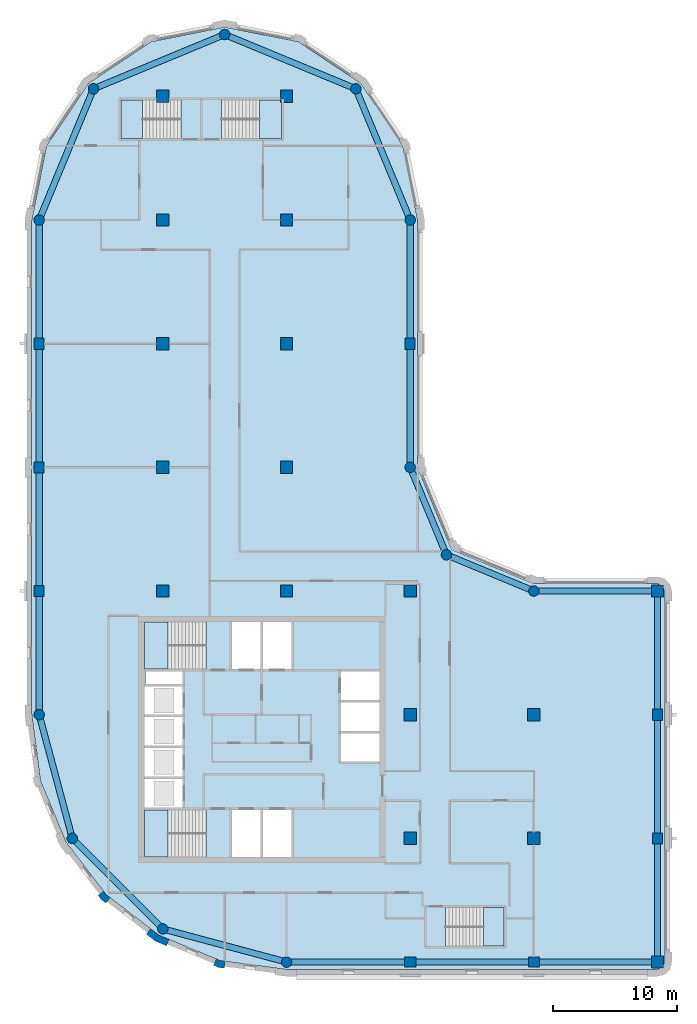
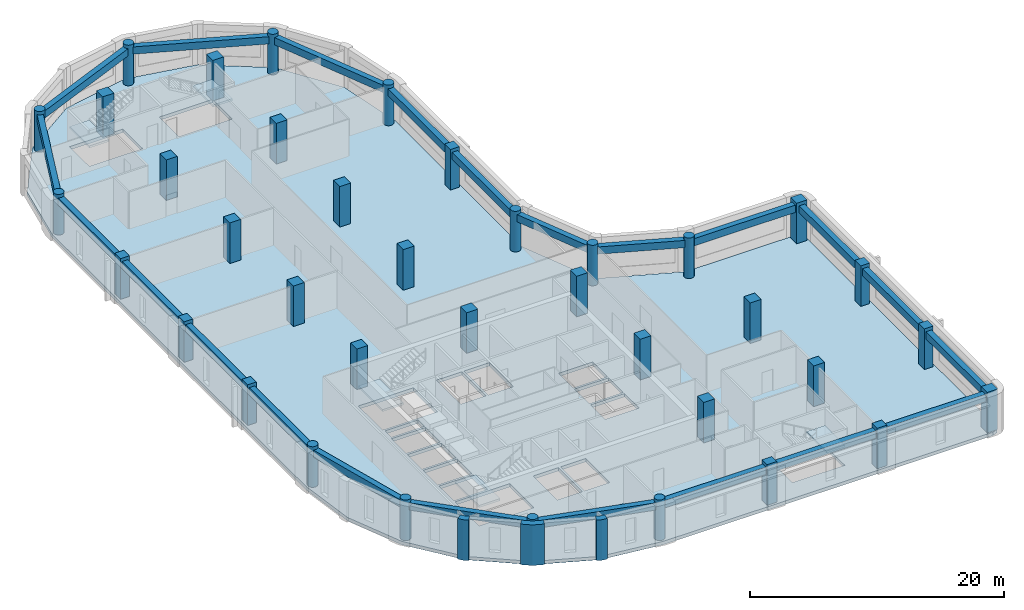
# One storey, part 1 of 9: 37 columns, 22 beams, 6 slabs, 3 walls, 5 elements without a shape of their own.
"""IFC4 building model written with IfcOpenShell, lengths in metres."""

from ifc_helpers import new_model, si_unit, direction, frame, origin, origin_2d, place, context, subcontext, project, spatial, polyline, rectangle, circle, outline, extrude, material, layer, layer_set, material_profile, profile_set, type_object, element, aggregate, save


model = new_model("IFC4")

# Units and contexts
model_context = context("Model", 3, precision=1e-05, world=origin(), true_north=direction((0.0, 1.0)))
body_context = subcontext(model_context, "Body", "Model", "MODEL_VIEW")
ifc_project = project(units=[si_unit("LENGTHUNIT", "METRE"), si_unit("AREAUNIT", "SQUARE_METRE"), si_unit("VOLUMEUNIT", "CUBIC_METRE"), si_unit("PLANEANGLEUNIT", "RADIAN"), si_unit("MASSUNIT", "GRAM", prefix="KILO")], contexts=[model_context])

# Site, building, storey
site_placement = place(None, origin())
site = spatial("IfcSite", under=ifc_project, at=site_placement, CompositionType="ELEMENT")
building_placement = place(site_placement, origin())
building = spatial("IfcBuilding", under=site, at=building_placement, Name="Qaws Garden Tower", CompositionType="ELEMENT")
storey_placement = place(building_placement, frame((0.0, 0.0, 259.199951171875)))
storey = spatial("IfcBuildingStorey", under=building, at=storey_placement, Name="L62", CompositionType="ELEMENT", Elevation=259.199951171875)

# Columns
ifc_material_1 = material(Name="Concrete C60", Category="concrete")
ifc_material_profile_1 = material_profile(ifc_material_1, rectangle(XDim=1.0, YDim=1.0, at=origin_2d()), Name="RC 1000x1000")
ifc_profile_set_1 = profile_set([ifc_material_profile_1], Name="Concrete C60")
column_type_1 = type_object("IfcColumnType", Name="Column RC 1000x1000 C60", PredefinedType="COLUMN", material=ifc_profile_set_1)
for number, where, z_axis, x_axis, name in (
    (1, (10.0, 30.0, 0.0), (0.0, 0.0, 1.0), (1.0, 0.0, 0.0), "Column L62-023"),
    (2, (10.0, 40.0, 0.0), (0.0, 0.0, 1.0), (1.0, 0.0, 0.0), "Column L62-024"),
    (3, (10.0, 50.0, 0.0), (0.0, 0.0, 1.0), (1.0, 0.0, 0.0), "Column L62-025"),
    (4, (10.0, 60.0, 0.0), (0.0, 0.0, 1.0), (1.0, 0.0, 0.0), "Column L62-026"),
    (5, (10.0, 70.0, 0.0), (0.0, 0.0, 1.0), (1.0, 0.0, 0.0), "Column L62-027"),
    (6, (20.0, 30.0, 0.0), (0.0, 0.0, 1.0), (1.0, 0.0, 0.0), "Column L62-028"),
    (7, (20.0, 40.0, 0.0), (0.0, 0.0, 1.0), (1.0, 0.0, 0.0), "Column L62-029"),
    (8, (20.0, 50.0, 0.0), (0.0, 0.0, 1.0), (1.0, 0.0, 0.0), "Column L62-030"),
    (9, (20.0, 60.0, 0.0), (0.0, 0.0, 1.0), (1.0, 0.0, 0.0), "Column L62-031"),
    (10, (20.0, 70.0, 0.0), (0.0, 0.0, 1.0), (1.0, 0.0, 0.0), "Column L62-032"),
    (11, (30.0, 10.0, 0.0), (0.0, 0.0, 1.0), (1.0, 0.0, 0.0), "Column L62-033"),
    (12, (30.0, 20.0, 0.0), (0.0, 0.0, 1.0), (1.0, 0.0, 0.0), "Column L62-034"),
    (13, (30.0, 30.0, 0.0), (0.0, 0.0, 1.0), (1.0, 0.0, 0.0), "Column L62-035"),
    (14, (40.0, 10.0, 0.0), (0.0, 0.0, 1.0), (1.0, 0.0, 0.0), "Column L62-036"),
    (15, (40.0, 20.0, 0.0), (0.0, 0.0, 1.0), (1.0, 0.0, 0.0), "Column L62-037"),
):
    element("IfcColumn", number, at=place(storey_placement, frame(where, z_axis=z_axis, x_axis=x_axis)), inside=storey, type_object=column_type_1, Name=name, PredefinedType="COLUMN", context=body_context, shape_type="SweptSolid", body=[
        extrude(rectangle(XDim=1.0, YDim=1.0, at=origin_2d()), origin(), (0.0, 0.0, 1.0), 3.900146484375),
    ])
ifc_material_2 = material(Name="Concrete C60", Category="concrete")
ifc_material_profile_2 = material_profile(ifc_material_2, rectangle(XDim=0.89990234375, YDim=0.800048828125, at=origin_2d()), Name="RC 900x800")
ifc_profile_set_2 = profile_set([ifc_material_profile_2], Name="Concrete C60")
column_type_2 = type_object("IfcColumnType", Name="Column RC 900x800 C60", PredefinedType="COLUMN", material=ifc_profile_set_2)
for number, where, z_axis, x_axis, name in (
    (16, (30.0, 0.0, 0.0), (0.0, 0.0, 1.0), (1.0, 0.0, 0.0), "Column L62-002"),
    (17, (40.0, 0.0, 0.0), (0.0, 0.0, 1.0), (1.0, 0.0, 0.0), "Column L62-003"),
    (18, (50.0, 10.0, 0.0), (0.0, 0.0, 1.0), (0.0, 1.0, 0.0), "Column L62-005"),
    (19, (50.0, 20.0, 0.0), (0.0, 0.0, 1.0), (0.0, 1.0, 0.0), "Column L62-006"),
    (20, (30.0, 50.0, 0.0), (0.0, 0.0, 1.0), (0.0, 1.0, 0.0), "Column L62-011"),
    (21, (0.0, 50.0, 0.0), (0.0, 0.0, 1.0), (0.0, 1.0, 0.0), "Column L62-017"),
    (22, (0.0, 40.0, 0.0), (0.0, 0.0, 1.0), (0.0, 1.0, 0.0), "Column L62-018"),
    (23, (0.0, 30.0, 0.0), (0.0, 0.0, 1.0), (0.0, 1.0, 0.0), "Column L62-019"),
):
    element("IfcColumn", number, at=place(storey_placement, frame(where, z_axis=z_axis, x_axis=x_axis)), inside=storey, type_object=column_type_2, Name=name, PredefinedType="COLUMN", context=body_context, shape_type="SweptSolid", body=[
        extrude(rectangle(XDim=0.89990234375, YDim=0.800048828125, at=origin_2d()), origin(), (0.0, 0.0, 1.0), 3.900146484375),
    ])
ifc_material_3 = material(Name="Concrete C60", Category="concrete")
ifc_material_profile_3 = material_profile(ifc_material_3, rectangle(XDim=0.949951171875, YDim=0.949951171875, at=origin_2d()), Name="RC 950x950")
ifc_profile_set_3 = profile_set([ifc_material_profile_3], Name="Concrete C60")
column_type_3 = type_object("IfcColumnType", Name="Column RC 950x950 C60", PredefinedType="COLUMN", material=ifc_profile_set_3)
for number, where, z_axis, x_axis, name in (
    (24, (50.0, 0.0, 0.0), (0.0, 0.0, 1.0), (1.0, 0.0, 0.0), "Column L62-004"),
    (25, (50.0, 30.0, 0.0), (0.0, 0.0, 1.0), (1.0, 0.0, 0.0), "Column L62-007"),
):
    element("IfcColumn", number, at=place(storey_placement, frame(where, z_axis=z_axis, x_axis=x_axis)), inside=storey, type_object=column_type_3, Name=name, PredefinedType="COLUMN", context=body_context, shape_type="SweptSolid", body=[
        extrude(rectangle(XDim=0.949951171875, YDim=0.949951171875, at=origin_2d()), origin(), (0.0, 0.0, 1.0), 3.900146484375),
    ])
ifc_material_4 = material(Name="Concrete C60", Category="concrete")
ifc_material_profile_4 = material_profile(ifc_material_4, circle(Radius=0.425048828125, at=origin_2d()), Name="RC D850")
ifc_profile_set_4 = profile_set([ifc_material_profile_4], Name="Concrete C60")
column_type_4 = type_object("IfcColumnType", Name="Column RC D850 C60", PredefinedType="COLUMN", material=ifc_profile_set_4)
for number, where, z_axis, x_axis, name in (
    (26, (20.0, 0.0, 0.0), (0.0, 0.0, 1.0), (1.0, 0.0, 0.0), "Column L62-001"),
    (27, (40.0, 30.0, 0.0), (0.0, 0.0, 1.0), (1.0, 0.0, 0.0), "Column L62-008"),
    (28, (32.928955078125, 32.928955078125, 0.0), (0.0, 0.0, 1.0), (1.0, 0.0, 0.0), "Column L62-009"),
    (29, (30.0, 40.0, 0.0), (0.0, 0.0, 1.0), (1.0, 0.0, 0.0), "Column L62-010"),
    (30, (30.0, 60.0, 0.0), (0.0, 0.0, 1.0), (1.0, 0.0, 0.0), "Column L62-012"),
    (31, (25.606689453125, 70.606689453125, 0.0), (0.0, 0.0, 1.0), (1.0, 0.0, 0.0), "Column L62-013"),
    (32, (15.0, 75.0, 0.0), (0.0, 0.0, 1.0), (1.0, 0.0, 0.0), "Column L62-014"),
    (33, (4.393310546875, 70.606689453125, 0.0), (0.0, 0.0, 1.0), (1.0, 0.0, 0.0), "Column L62-015"),
    (34, (0.0, 60.0, 0.0), (0.0, 0.0, 1.0), (1.0, 0.0, 0.0), "Column L62-016"),
    (35, (0.0, 20.0, 0.0), (0.0, 0.0, 1.0), (1.0, 0.0, 0.0), "Column L62-020"),
    (36, (2.679443359375, 10.0, 0.0), (0.0, 0.0, 1.0), (1.0, 0.0, 0.0), "Column L62-021"),
    (37, (10.0, 2.679443359375, 0.0), (0.0, 0.0, 1.0), (1.0, 0.0, 0.0), "Column L62-022"),
):
    element("IfcColumn", number, at=place(storey_placement, frame(where, z_axis=z_axis, x_axis=x_axis)), inside=storey, type_object=column_type_4, Name=name, PredefinedType="COLUMN", context=body_context, shape_type="SweptSolid", body=[
        extrude(circle(Radius=0.425048828125, at=origin_2d()), origin(), (0.0, 0.0, 1.0), 3.900146484375),
    ])

# Beams
ifc_material_5 = material(Name="Concrete C45", Category="concrete")
ifc_material_profile_5 = material_profile(ifc_material_5, rectangle(XDim=0.5, YDim=0.699951171875, at=origin_2d()), Name="RC 500x700")
ifc_profile_set_5 = profile_set([ifc_material_profile_5], Name="Concrete C45")
beam_type = type_object("IfcBeamType", Name="Spandrel beam RC 500x700 C45", PredefinedType="SPANDREL", material=ifc_profile_set_5)
for number, where, z_axis, x_axis, name in (
    (38, (20.0, 0.0, 3.22998046875), (1.0, 0.0, 0.0), (0.0, 1.0, 0.0), "Spandrel beam L62-001"),
    (39, (30.0, 0.0, 3.22998046875), (1.0, 0.0, 0.0), (0.0, 1.0, 0.0), "Spandrel beam L62-002"),
    (40, (40.0, 0.0, 3.22998046875), (1.0, 0.0, 0.0), (0.0, 1.0, 0.0), "Spandrel beam L62-003"),
    (41, (50.0, 0.0, 3.22998046875), (0.0, 1.0, 0.0), (-1.0, 0.0, 0.0), "Spandrel beam L62-004"),
    (42, (50.0, 10.0, 3.22998046875), (0.0, 1.0, 0.0), (-1.0, 0.0, 0.0), "Spandrel beam L62-005"),
    (43, (50.0, 20.0, 3.22998046875), (0.0, 1.0, 0.0), (-1.0, 0.0, 0.0), "Spandrel beam L62-006"),
    (44, (50.0, 30.0, 3.22998046875), (-1.0, 0.0, 0.0), (0.0, -1.0, 0.0), "Spandrel beam L62-007"),
):
    element("IfcBeam", number, at=place(storey_placement, frame(where, z_axis=z_axis, x_axis=x_axis)), inside=storey, type_object=beam_type, Name=name, PredefinedType="SPANDREL", context=body_context, shape_type="SweptSolid", body=[
        extrude(rectangle(XDim=0.5, YDim=0.699951171875, at=origin_2d()), origin(), (0.0, 0.0, 1.0), 10.0),
    ])
for number, where, z_axis, x_axis, name in (
    (45, (40.0, 30.0, 3.22998046875), (-0.923878037141, 0.382687042488, 0.0), (-0.382687042488, -0.923878037141, 0.0), "Spandrel beam L62-008"),
    (46, (32.928955078125, 32.928955078125, 3.22998046875), (-0.382687042488, 0.923878037141, 0.0), (-0.923878037141, -0.382687042488, 0.0), "Spandrel beam L62-009"),
):
    element("IfcBeam", number, at=place(storey_placement, frame(where, z_axis=z_axis, x_axis=x_axis)), inside=storey, type_object=beam_type, Name=name, PredefinedType="SPANDREL", context=body_context, shape_type="SweptSolid", body=[
        extrude(rectangle(XDim=0.5, YDim=0.699951171875, at=origin_2d()), origin(), (0.0, 0.0, 1.0), 7.653564453125),
    ])
for number, where, z_axis, x_axis, name in (
    (47, (30.0, 40.0, 3.22998046875), (0.0, 1.0, 0.0), (-1.0, 0.0, 0.0), "Spandrel beam L62-010"),
    (48, (30.0, 50.0, 3.22998046875), (0.0, 1.0, 0.0), (-1.0, 0.0, 0.0), "Spandrel beam L62-011"),
):
    element("IfcBeam", number, at=place(storey_placement, frame(where, z_axis=z_axis, x_axis=x_axis)), inside=storey, type_object=beam_type, Name=name, PredefinedType="SPANDREL", context=body_context, shape_type="SweptSolid", body=[
        extrude(rectangle(XDim=0.5, YDim=0.699951171875, at=origin_2d()), origin(), (0.0, 0.0, 1.0), 10.0),
    ])
for number, where, z_axis, x_axis, name in (
    (49, (30.0, 60.0, 3.22998046875), (-0.382674207535, 0.923883353507, 0.0), (-0.923883353507, -0.382674207535, 0.0), "Spandrel beam L62-012"),
    (50, (25.606689453125, 70.606689453125, 3.22998046875), (-0.923883353507, 0.382674207535, 0.0), (-0.382674207535, -0.923883353507, 0.0), "Spandrel beam L62-013"),
    (51, (15.0, 75.0, 3.22998046875), (-0.923883353507, -0.382674207535, 0.0), (0.382674207535, -0.923883353507, 0.0), "Spandrel beam L62-014"),
    (52, (4.393310546875, 70.606689453125, 3.22998046875), (-0.382674207535, -0.923883353507, 0.0), (0.923883353507, -0.382674207535, 0.0), "Spandrel beam L62-015"),
):
    element("IfcBeam", number, at=place(storey_placement, frame(where, z_axis=z_axis, x_axis=x_axis)), inside=storey, type_object=beam_type, Name=name, PredefinedType="SPANDREL", context=body_context, shape_type="SweptSolid", body=[
        extrude(rectangle(XDim=0.5, YDim=0.699951171875, at=origin_2d()), origin(), (0.0, 0.0, 1.0), 11.48046875),
    ])
for number, where, z_axis, x_axis, name in (
    (53, (0.0, 60.0, 3.22998046875), (0.0, -1.0, 0.0), (1.0, 0.0, 0.0), "Spandrel beam L62-016"),
    (54, (0.0, 50.0, 3.22998046875), (0.0, -1.0, 0.0), (1.0, 0.0, 0.0), "Spandrel beam L62-017"),
    (55, (0.0, 40.0, 3.22998046875), (0.0, -1.0, 0.0), (1.0, 0.0, 0.0), "Spandrel beam L62-018"),
    (56, (0.0, 30.0, 3.22998046875), (0.0, -1.0, 0.0), (1.0, 0.0, 0.0), "Spandrel beam L62-019"),
):
    element("IfcBeam", number, at=place(storey_placement, frame(where, z_axis=z_axis, x_axis=x_axis)), inside=storey, type_object=beam_type, Name=name, PredefinedType="SPANDREL", context=body_context, shape_type="SweptSolid", body=[
        extrude(rectangle(XDim=0.5, YDim=0.699951171875, at=origin_2d()), origin(), (0.0, 0.0, 1.0), 10.0),
    ])
for number, where, z_axis, x_axis, name in (
    (57, (0.0, 20.0, 3.22998046875), (0.25881466832, -0.965926999034, 0.0), (0.965926999034, 0.25881466832, 0.0), "Spandrel beam L62-020"),
    (58, (2.679443359375, 10.0, 3.22998046875), (0.707106781187, -0.707106781187, 0.0), (0.707106781187, 0.707106781187, 0.0), "Spandrel beam L62-021"),
    (59, (10.0, 2.679443359375, 3.22998046875), (0.965926999034, -0.25881466832, 0.0), (0.25881466832, 0.965926999034, 0.0), "Spandrel beam L62-022"),
):
    element("IfcBeam", number, at=place(storey_placement, frame(where, z_axis=z_axis, x_axis=x_axis)), inside=storey, type_object=beam_type, Name=name, PredefinedType="SPANDREL", context=body_context, shape_type="SweptSolid", body=[
        extrude(rectangle(XDim=0.5, YDim=0.699951171875, at=origin_2d()), origin(), (0.0, 0.0, 1.0), 10.352783203125),
    ])

# Slab
ifc_material_6 = material(Name="Concrete C40", Category="concrete")
ifc_layer_1 = layer(ifc_material_6, 0.320068359375)
ifc_layer_set_1 = layer_set([ifc_layer_1], Name="Concrete C40")
slab_type_1 = type_object("IfcSlabType", Name="Floor slab 320 C40", PredefinedType="FLOOR", material=ifc_layer_set_1)
slab_1_placement = place(storey_placement, frame((0.0, 0.0, -0.320068359375)))
element("IfcSlab", 60, at=slab_1_placement, inside=storey, type_object=slab_type_1, Name="Floor slab L62", PredefinedType="FLOOR", context=body_context, shape_type="SweptSolid", body=[
    extrude(outline(polyline([(0.101806640625, 14.668212890625), (-0.60009765625, 20.0), (-0.60009765625, 30.60009765625), (-0.60009765625, 60.0), (-0.60009765625, 60.0), (0.58740234375, 65.969970703125), (3.968994140625, 71.031005859375), (9.030029296875, 74.41259765625), (15.0, 75.60009765625), (20.969970703125, 74.41259765625), (26.031005859375, 71.031005859375), (29.41259765625, 65.969970703125), (30.60009765625, 60.0), (30.60009765625, 40.0), (33.353271484375, 33.353271484375), (40.0, 30.60009765625), (50.0, 30.60009765625), (50.42431640625, 30.42431640625), (50.60009765625, 30.0), (50.60009765625, 0.0), (50.42431640625, -0.42431640625), (50.0, -0.60009765625), (30.60009765625, -0.60009765625), (20.0, -0.60009765625), (14.668212890625, 0.101806640625), (9.699951171875, 2.159912109375), (5.43359375, 5.43359375), (2.159912109375, 9.699951171875), (0.101806640625, 14.668212890625)]), holes=[polyline([(13.49951171875, 12.300048828125), (8.5, 12.300048828125), (8.5, 8.5), (13.49951171875, 8.5), (13.49951171875, 12.300048828125)]), polyline([(17.89990234375, 12.300048828125), (15.60009765625, 12.300048828125), (15.60009765625, 8.5), (17.89990234375, 8.5), (17.89990234375, 12.300048828125)]), polyline([(11.60009765625, 14.800048828125), (8.5, 14.800048828125), (8.5, 12.5), (11.60009765625, 12.5), (11.60009765625, 14.800048828125)]), polyline([(11.60009765625, 17.300048828125), (8.5, 17.300048828125), (8.5, 15.0), (11.60009765625, 15.0), (11.60009765625, 17.300048828125)]), polyline([(11.60009765625, 19.800048828125), (8.5, 19.800048828125), (8.5, 17.5), (11.60009765625, 17.5), (11.60009765625, 19.800048828125)]), polyline([(11.60009765625, 22.300048828125), (8.5, 22.300048828125), (8.5, 20.0), (11.60009765625, 20.0), (11.60009765625, 22.300048828125)]), polyline([(11.60009765625, 23.5), (8.60009765625, 23.5), (8.60009765625, 22.5), (11.60009765625, 22.5), (11.60009765625, 23.5)]), polyline([(13.49951171875, 27.5), (8.5, 27.5), (8.5, 23.699951171875), (13.49951171875, 23.699951171875), (13.49951171875, 27.5)]), polyline([(11.449462890625, 69.699951171875), (6.60009765625, 69.699951171875), (6.60009765625, 66.60009765625), (11.449462890625, 66.60009765625), (11.449462890625, 69.699951171875)]), polyline([(37.60009765625, 4.39990234375), (32.8505859375, 4.39990234375), (32.8505859375, 1.300048828125), (37.60009765625, 1.300048828125), (37.60009765625, 4.39990234375)]), polyline([(20.39990234375, 12.300048828125), (18.10009765625, 12.300048828125), (18.10009765625, 8.5), (20.39990234375, 8.5), (20.39990234375, 12.300048828125)]), polyline([(27.5, 18.5), (24.39990234375, 18.5), (24.39990234375, 16.199951171875), (27.5, 16.199951171875), (27.5, 18.5)]), polyline([(27.5, 21.0), (24.39990234375, 21.0), (24.39990234375, 18.699951171875), (27.5, 18.699951171875), (27.5, 21.0)]), polyline([(27.5, 23.5), (24.39990234375, 23.5), (24.39990234375, 21.199951171875), (27.5, 21.199951171875), (27.5, 23.5)]), polyline([(17.89990234375, 27.5), (15.60009765625, 27.5), (15.60009765625, 23.699951171875), (17.89990234375, 23.699951171875), (17.89990234375, 27.5)]), polyline([(20.39990234375, 23.699951171875), (20.39990234375, 27.5), (18.10009765625, 27.5), (18.10009765625, 23.699951171875), (20.39990234375, 23.699951171875)]), polyline([(19.60009765625, 66.60009765625), (19.60009765625, 69.699951171875), (14.75048828125, 69.699951171875), (14.75048828125, 66.60009765625), (19.60009765625, 66.60009765625)])]), origin(), (0.0, 0.0, 1.0), 0.320068359375),
])

# Stair, slab
ifc_material_7 = material(Name="Concrete C40", Category="concrete")
stair_type_1 = type_object("IfcStairType", Name="Exit stair 1500", PredefinedType="HALF_TURN_STAIR", material=ifc_material_7)
placement_1 = place(storey_placement, origin())
stair_1 = element("IfcStair", 61, at=placement_1, inside=storey, type_object=stair_type_1, Name="Stair 1", PredefinedType="HALF_TURN_STAIR")
ifc_material_8 = material(Name="Concrete C40", Category="concrete")
ifc_layer_2 = layer(ifc_material_8, 0.199951171875)
ifc_layer_set_2 = layer_set([ifc_layer_2], Name="Concrete C40")
slab_type_2 = type_object("IfcSlabType", Name="Stair landing 200", PredefinedType="LANDING", material=ifc_layer_set_2)
placement_2 = place(storey_placement, frame((0.0, 0.0, 1.75)))
slab_2 = element("IfcSlab", 62, at=placement_2, type_object=slab_type_2, Name="ST1 landing 1", PredefinedType="LANDING", context=body_context, shape_type="SweptSolid", body=[
    extrude(outline(polyline([(8.5, 8.5), (10.419921875, 8.5), (10.419921875, 12.300048828125), (8.5, 12.300048828125), (8.5, 8.5)])), origin(), (0.0, 0.0, 1.0), 0.199951171875),
])
aggregate(stair_1, [slab_2])

stair_2 = element("IfcStair", 63, at=placement_1, inside=storey, type_object=stair_type_1, Name="Stair 4", PredefinedType="HALF_TURN_STAIR")
slab_3 = element("IfcSlab", 64, at=placement_2, type_object=slab_type_2, Name="ST4 landing 1", PredefinedType="LANDING", context=body_context, shape_type="SweptSolid", body=[
    extrude(outline(polyline([(8.5, 23.699951171875), (10.419921875, 23.699951171875), (10.419921875, 27.5), (8.5, 27.5), (8.5, 23.699951171875)])), origin(), (0.0, 0.0, 1.0), 0.199951171875),
])
aggregate(stair_2, [slab_3])

ifc_material_9 = material(Name="Concrete C40", Category="concrete")
stair_type_2 = type_object("IfcStairType", Name="Exit stair 1350", PredefinedType="HALF_TURN_STAIR", material=ifc_material_9)
stair_3 = element("IfcStair", 65, at=placement_1, inside=storey, type_object=stair_type_2, Name="Stair 5", PredefinedType="HALF_TURN_STAIR")
slab_4 = element("IfcSlab", 66, at=placement_2, type_object=slab_type_2, Name="ST5 landing 1", PredefinedType="LANDING", context=body_context, shape_type="SweptSolid", body=[
    extrude(outline(polyline([(35.929931640625, 1.300048828125), (37.60009765625, 1.300048828125), (37.60009765625, 4.39990234375), (35.929931640625, 4.39990234375), (35.929931640625, 1.300048828125)])), origin(), (0.0, 0.0, 1.0), 0.199951171875),
])
aggregate(stair_3, [slab_4])

stair_4 = element("IfcStair", 67, at=placement_1, inside=storey, type_object=stair_type_2, Name="Stair 6", PredefinedType="HALF_TURN_STAIR")
slab_5 = element("IfcSlab", 68, at=placement_2, type_object=slab_type_2, Name="ST6 landing 1", PredefinedType="LANDING", context=body_context, shape_type="SweptSolid", body=[
    extrude(outline(polyline([(6.60009765625, 66.60009765625), (8.3701171875, 66.60009765625), (8.3701171875, 69.699951171875), (6.60009765625, 69.699951171875), (6.60009765625, 66.60009765625)])), origin(), (0.0, 0.0, 1.0), 0.199951171875),
])
aggregate(stair_4, [slab_5])

stair_5 = element("IfcStair", 69, at=placement_1, inside=storey, type_object=stair_type_2, Name="Stair 7", PredefinedType="HALF_TURN_STAIR")
slab_6 = element("IfcSlab", 70, at=placement_2, type_object=slab_type_2, Name="ST7 landing 1", PredefinedType="LANDING", context=body_context, shape_type="SweptSolid", body=[
    extrude(outline(polyline([(17.830078125, 66.60009765625), (19.60009765625, 66.60009765625), (19.60009765625, 69.699951171875), (17.830078125, 69.699951171875), (17.830078125, 66.60009765625)])), origin(), (0.0, 0.0, 1.0), 0.199951171875),
])
aggregate(stair_5, [slab_6])

# Walls
ifc_material_10 = material(Name="Clay facing brick masonry", Category="masonry")
ifc_layer_3 = layer(ifc_material_10, 0.550048828125)
ifc_layer_set_3 = layer_set([ifc_layer_3], Name="Clay facing brick masonry")
wall_type_1 = type_object("IfcWallType", Name="Brick kink pier 550 x 600", PredefinedType="SOLIDWALL", material=ifc_layer_set_3)
element("IfcWall", 71, at=placement_1, inside=storey, type_object=wall_type_1, Name="E-L62-pier-26", PredefinedType="SOLIDWALL", context=body_context, shape_type="SweptSolid", body=[
    extrude(outline(polyline([(4.8818359375, 5.487060546875), (4.762939453125, 5.395751953125), (5.03759765625, 5.03759765625), (5.395751953125, 4.762939453125), (5.487060546875, 4.8818359375), (5.730712890625, 5.19921875), (5.429931640625, 5.429931640625), (5.19921875, 5.730712890625), (4.8818359375, 5.487060546875)])), origin(), (0.0, 0.0, 1.0), 3.900146484375),
])
element("IfcWall", 72, at=placement_1, inside=storey, type_object=wall_type_1, Name="E-L62-pier-28", PredefinedType="SOLIDWALL", context=body_context, shape_type="SweptSolid", body=[
    extrude(outline(polyline([(14.163818359375, -0.127685546875), (14.1064453125, -0.26611328125), (14.5234375, -0.43896484375), (14.970947265625, -0.497802734375), (14.990478515625, -0.34912109375), (15.042724609375, 0.04736328125), (14.6669921875, 0.096923828125), (14.31689453125, 0.241943359375), (14.163818359375, -0.127685546875)])), origin(), (0.0, 0.0, 1.0), 3.900146484375),
])
ifc_material_11 = material(Name="Clay facing brick masonry", Category="masonry")
ifc_layer_4 = layer(ifc_material_11, 0.550048828125)
ifc_layer_set_4 = layer_set([ifc_layer_4], Name="Clay facing brick masonry")
wall_type_2 = type_object("IfcWallType", Name="Brick pier 550 x 1600", PredefinedType="SOLIDWALL", material=ifc_layer_set_4)
element("IfcWall", 73, at=placement_1, inside=storey, type_object=wall_type_2, Name="E-L62-pier-27", PredefinedType="SOLIDWALL", context=body_context, shape_type="SweptSolid", body=[
    extrude(outline(polyline([(8.756591796875, 2.373046875), (8.665283203125, 2.254150390625), (9.419921875, 1.675048828125), (10.299072265625, 1.310791015625), (10.3564453125, 1.449462890625), (10.509521484375, 1.819091796875), (9.697509765625, 2.1552734375), (9.0, 2.6904296875), (8.756591796875, 2.373046875)])), origin(), (0.0, 0.0, 1.0), 3.900146484375),
])

save(model, "model.ifc")
